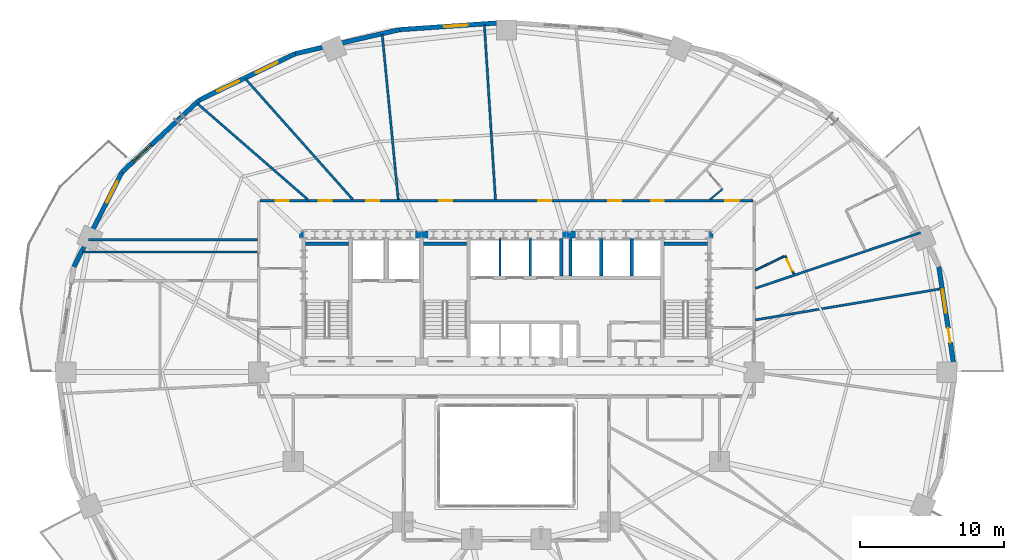
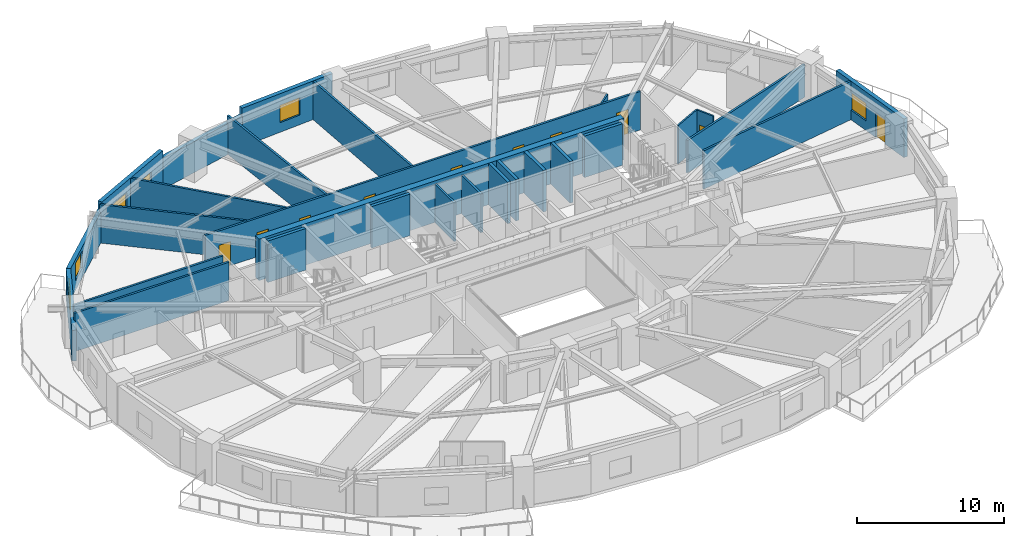
# One storey, part 12 of 17: 28 walls, 10 doors, 6 windows, 16 openings.
"""IFC4 building model written with IfcOpenShell, lengths in metres."""

from ifc_helpers import new_model, si_unit, direction, frame, frame_2d, origin, place, context, subcontext, project, spatial, rectangle, extrude, material, layer, layer_set, type_object, element, fill, save


model = new_model("IFC4")

# Units and contexts
model_context = context("Model", 3, precision=1e-05, world=origin(), true_north=direction((0.0, 1.0)))
body_context = subcontext(model_context, "Body", "Model", "MODEL_VIEW")
ifc_project = project(units=[si_unit("LENGTHUNIT", "METRE"), si_unit("AREAUNIT", "SQUARE_METRE"), si_unit("VOLUMEUNIT", "CUBIC_METRE"), si_unit("PLANEANGLEUNIT", "RADIAN"), si_unit("MASSUNIT", "GRAM", prefix="KILO")], contexts=[model_context])

# Site, building, storey
site_placement = place(None, origin())
site = spatial("IfcSite", under=ifc_project, at=site_placement, CompositionType="ELEMENT")
building_placement = place(site_placement, origin())
building = spatial("IfcBuilding", under=site, at=building_placement, Name="Haldorwick Loom Tower", CompositionType="ELEMENT")
storey_placement = place(building_placement, frame((0.0, 0.0, 61.949951171875)))
storey = spatial("IfcBuildingStorey", under=building, at=storey_placement, Name="L16", CompositionType="ELEMENT", Elevation=61.949951171875)

# Wall, openings, door, window
ifc_material_1 = material(Name="Pressed Clay Face Brick and Insulated Masonry Backup Assembly", Category="masonry")
ifc_layer_1 = layer(ifc_material_1, 0.320068359375, Name="Pressed Clay Face Brick and Insulated Masonry Backup Assembly", Category="masonry")
ifc_layer_set_1 = layer_set([ifc_layer_1], Name="Pressed Clay Face Brick and Insulated Masonry Backup Assembly")
wall_type_1 = type_object("IfcWallType", Name="ARC-WL-EXT320", PredefinedType="STANDARD", material=ifc_layer_set_1)
wall_1_placement = place(storey_placement, frame((67.135986328125, 26.0, 0.0), z_axis=(0.0, 0.0, 1.0), x_axis=(-0.150476322528, 0.988613613278, 0.0)))
wall_1 = element("IfcWall", 1, at=wall_1_placement, inside=storey, type_object=wall_type_1, Name="L16 Brick Pier and Spandrel Wall 1", PredefinedType="STANDARD", context=body_context, shape_type="SweptSolid", body=[
    extrude(rectangle(XDim=7.40478515625, YDim=0.320068359375, at=frame_2d((3.702392578125, 0.0))), origin(), (0.0, 0.0, 1.0), 3.2099609375),
])
opening_1_placement = place(wall_1_placement, frame((2.087646484375, 0.0, 0.0)))
opening_1 = element("IfcOpeningElement", 2, at=opening_1_placement, cuts=wall_1, Name="Opening D-BL10", PredefinedType="OPENING", context=body_context, shape_type="SweptSolid", body=[
    extrude(rectangle(XDim=1.0, YDim=2.0400390625, at=frame_2d((0.5, 1.02001953125))), frame((0.0, 0.169921875, 0.0), z_axis=(0.0, -1.0, 0.0), x_axis=(1.0, 0.0, 0.0)), (0.0, 0.0, 1.0), 0.340087890625),
])
opening_2_placement = place(wall_1_placement, frame((4.1611328125, 0.0, 0.800048828125)))
opening_2 = element("IfcOpeningElement", 3, at=opening_2_placement, cuts=wall_1, Name="Opening W-01B", PredefinedType="OPENING", context=body_context, shape_type="SweptSolid", body=[
    extrude(rectangle(XDim=1.64990234375, YDim=1.449951171875, at=frame_2d((0.824951171875, 0.72509765625))), frame((0.0, 0.169921875, 0.0), z_axis=(0.0, -1.0, 0.0), x_axis=(1.0, 0.0, 0.0)), (0.0, 0.0, 1.0), 0.340087890625),
])
ifc_material_2 = material(Name="Thermally Broken Anodized Aluminium Curtain Wall Framing", Category="aluminium")
door_type_1 = type_object("IfcDoorType", Name="ARC-DR-BAL100", OperationType="NOTDEFINED", PredefinedType="DOOR", material=ifc_material_2)
door_1_placement = place(opening_1_placement, origin())
door_1 = element("IfcDoor", 4, at=door_1_placement, inside=storey, type_object=door_type_1, Name="L16 Outdoor Terrace Door SLB-L16-BAL_ENE", OperationType="SINGLE_SWING_RIGHT", OverallHeight=2.0400390625, OverallWidth=1.0, PredefinedType="DOOR", context=body_context, shape_type="SweptSolid", body=[
    extrude(rectangle(XDim=1.0, YDim=2.0400390625, at=frame_2d((0.5, 1.02001953125))), frame((0.0, 0.02490234375, 0.0), z_axis=(0.0, -1.0, 0.0), x_axis=(1.0, 0.0, 0.0)), (0.0, 0.0, 1.0), 0.050048828125),
])
fill(opening_1, door_1)
ifc_material_3 = material(Name="Triple-Glazed Low-E Argon Insulated Glazing Unit", Category="glass")
window_type = type_object("IfcWindowType", Name="ARC-WIN-W165", PartitioningType="SINGLE_PANEL", PredefinedType="WINDOW", material=ifc_material_3)
window_1_placement = place(opening_2_placement, origin())
window_1 = element("IfcWindow", 5, at=window_1_placement, inside=storey, type_object=window_type, Name="L16 Deep-Set Zone 7A Window 1", OverallHeight=1.449951171875, OverallWidth=1.64990234375, PartitioningType="SINGLE_PANEL", PredefinedType="WINDOW", context=body_context, shape_type="SweptSolid", body=[
    extrude(rectangle(XDim=1.64990234375, YDim=1.449951171875, at=frame_2d((0.824951171875, 0.72509765625))), frame((0.0, 0.030029296875, 0.0), z_axis=(0.0, -1.0, 0.0), x_axis=(1.0, 0.0, 0.0)), (0.0, 0.0, 1.0), 0.06005859375),
])
fill(opening_2, window_1)

# Wall, opening, window
wall_2_placement = place(storey_placement, frame((36.0, 50.2900390625, 0.0), z_axis=(0.0, 0.0, 1.0), x_axis=(-0.997645161917, -0.068586667092, 0.0)))
wall_2 = element("IfcWall", 6, at=wall_2_placement, inside=storey, type_object=wall_type_1, Name="L16 Brick Pier and Spandrel Wall 7", PredefinedType="STANDARD", context=body_context, shape_type="SweptSolid", body=[
    extrude(rectangle(XDim=7.428955078125, YDim=0.320068359375, at=frame_2d((3.71435546875, 0.0))), origin(), (0.0, 0.0, 1.0), 3.2099609375),
])
opening_3_placement = place(wall_2_placement, frame((2.679443359375, 0.0, 0.800048828125)))
opening_3 = element("IfcOpeningElement", 7, at=opening_3_placement, cuts=wall_2, Name="Opening W-01B", PredefinedType="OPENING", context=body_context, shape_type="SweptSolid", body=[
    extrude(rectangle(XDim=1.64990234375, YDim=1.449951171875, at=frame_2d((0.824951171875, 0.72509765625))), frame((0.0, 0.169921875, 0.0), z_axis=(0.0, -1.0, 0.0), x_axis=(1.0, 0.0, 0.0)), (0.0, 0.0, 1.0), 0.340087890625),
])
window_2_placement = place(opening_3_placement, origin())
window_2 = element("IfcWindow", 8, at=window_2_placement, inside=storey, type_object=window_type, Name="L16 Deep-Set Zone 7A Window 7", OverallHeight=1.449951171875, OverallWidth=1.64990234375, PartitioningType="SINGLE_PANEL", PredefinedType="WINDOW", context=body_context, shape_type="SweptSolid", body=[
    extrude(rectangle(XDim=1.64990234375, YDim=1.449951171875, at=frame_2d((0.824951171875, 0.72509765625))), frame((0.0, 0.030029296875, 0.0), z_axis=(0.0, -1.0, 0.0), x_axis=(1.0, 0.0, 0.0)), (0.0, 0.0, 1.0), 0.06005859375),
])
fill(opening_3, window_2)

# Wall
wall_3_placement = place(storey_placement, frame((28.588623046875, 49.780517578125, 0.0), z_axis=(0.0, 0.0, 1.0), x_axis=(-0.974522412345, -0.224290142088, 0.0)))
element("IfcWall", 9, at=wall_3_placement, inside=storey, type_object=wall_type_1, Name="L16 Brick Pier and Spandrel Wall 8", PredefinedType="STANDARD", context=body_context, shape_type="SweptSolid", body=[
    extrude(rectangle(XDim=7.422607421875, YDim=0.320068359375, at=frame_2d((3.71142578125, 0.0))), origin(), (0.0, 0.0, 1.0), 2.569091796875),
])

# Wall, openings, windows
wall_4_placement = place(storey_placement, frame((21.355224609375, 48.11572265625, 0.0), z_axis=(0.0, 0.0, 1.0), x_axis=(-0.900295710431, -0.435278800057, 0.0)))
wall_4 = element("IfcWall", 10, at=wall_4_placement, inside=storey, type_object=wall_type_1, Name="L16 Brick Pier and Spandrel Wall 9", PredefinedType="STANDARD", context=body_context, shape_type="SweptSolid", body=[
    extrude(rectangle(XDim=7.39697265625, YDim=0.320068359375, at=frame_2d((3.698486328125, 0.0))), origin(), (0.0, 0.0, 1.0), 3.2099609375),
])
opening_4_placement = place(wall_4_placement, frame((1.39404296875, 0.0, 0.800048828125)))
opening_4 = element("IfcOpeningElement", 11, at=opening_4_placement, cuts=wall_4, Name="Opening W-01B", PredefinedType="OPENING", context=body_context, shape_type="SweptSolid", body=[
    extrude(rectangle(XDim=1.64990234375, YDim=1.449951171875, at=frame_2d((0.824951171875, 0.72509765625))), frame((0.0, 0.169921875, 0.0), z_axis=(0.0, -1.0, 0.0), x_axis=(1.0, 0.0, 0.0)), (0.0, 0.0, 1.0), 0.340087890625),
])
opening_5_placement = place(wall_4_placement, frame((4.352783203125, 0.0, 0.800048828125)))
opening_5 = element("IfcOpeningElement", 12, at=opening_5_placement, cuts=wall_4, Name="Opening W-01B", PredefinedType="OPENING", context=body_context, shape_type="SweptSolid", body=[
    extrude(rectangle(XDim=1.64990234375, YDim=1.449951171875, at=frame_2d((0.824951171875, 0.72509765625))), frame((0.0, 0.169921875, 0.0), z_axis=(0.0, -1.0, 0.0), x_axis=(1.0, 0.0, 0.0)), (0.0, 0.0, 1.0), 0.340087890625),
])
window_3_placement = place(opening_4_placement, origin())
window_3 = element("IfcWindow", 13, at=window_3_placement, inside=storey, type_object=window_type, Name="L16 Deep-Set Zone 7A Window 9", OverallHeight=1.449951171875, OverallWidth=1.64990234375, PartitioningType="SINGLE_PANEL", PredefinedType="WINDOW", context=body_context, shape_type="SweptSolid", body=[
    extrude(rectangle(XDim=1.64990234375, YDim=1.449951171875, at=frame_2d((0.824951171875, 0.72509765625))), frame((0.0, 0.030029296875, 0.0), z_axis=(0.0, -1.0, 0.0), x_axis=(1.0, 0.0, 0.0)), (0.0, 0.0, 1.0), 0.06005859375),
])
fill(opening_4, window_3)
window_4_placement = place(opening_5_placement, origin())
window_4 = element("IfcWindow", 14, at=window_4_placement, inside=storey, type_object=window_type, Name="L16 Deep-Set Zone 7A Window 9", OverallHeight=1.449951171875, OverallWidth=1.64990234375, PartitioningType="SINGLE_PANEL", PredefinedType="WINDOW", context=body_context, shape_type="SweptSolid", body=[
    extrude(rectangle(XDim=1.64990234375, YDim=1.449951171875, at=frame_2d((0.824951171875, 0.72509765625))), frame((0.0, 0.030029296875, 0.0), z_axis=(0.0, -1.0, 0.0), x_axis=(1.0, 0.0, 0.0)), (0.0, 0.0, 1.0), 0.06005859375),
])
fill(opening_5, window_4)

# Wall, opening, window
wall_5_placement = place(storey_placement, frame((14.69580078125, 44.89599609375, 0.0), z_axis=(0.0, 0.0, 1.0), x_axis=(-0.73176101237, -0.681561311091, 0.0)))
wall_5 = element("IfcWall", 15, at=wall_5_placement, inside=storey, type_object=wall_type_1, Name="L16 Brick Pier and Spandrel Wall 10", PredefinedType="STANDARD", context=body_context, shape_type="SweptSolid", body=[
    extrude(rectangle(XDim=7.3583984375, YDim=0.320068359375, at=frame_2d((3.67919921875, 0.0))), origin(), (0.0, 0.0, 1.0), 2.569091796875),
])
opening_6_placement = place(wall_5_placement, frame((4.590087890625, 0.0, 0.800048828125)))
opening_6 = element("IfcOpeningElement", 16, at=opening_6_placement, cuts=wall_5, Name="Opening W-01B", PredefinedType="OPENING", context=body_context, shape_type="SweptSolid", body=[
    extrude(rectangle(XDim=1.64990234375, YDim=1.449951171875, at=frame_2d((0.824951171875, 0.72509765625))), frame((0.0, 0.169921875, 0.0), z_axis=(0.0, -1.0, 0.0), x_axis=(1.0, 0.0, 0.0)), (0.0, 0.0, 1.0), 0.340087890625),
])
window_5_placement = place(opening_6_placement, origin())
window_5 = element("IfcWindow", 17, at=window_5_placement, inside=storey, type_object=window_type, Name="L16 Deep-Set Zone 7A Window 10", OverallHeight=1.449951171875, OverallWidth=1.64990234375, PartitioningType="SINGLE_PANEL", PredefinedType="WINDOW", context=body_context, shape_type="SweptSolid", body=[
    extrude(rectangle(XDim=1.64990234375, YDim=1.449951171875, at=frame_2d((0.824951171875, 0.72509765625))), frame((0.0, 0.030029296875, 0.0), z_axis=(0.0, -1.0, 0.0), x_axis=(1.0, 0.0, 0.0)), (0.0, 0.0, 1.0), 0.06005859375),
])
fill(opening_6, window_5)

wall_6_placement = place(storey_placement, frame((9.311279296875, 39.880859375, 0.0), z_axis=(0.0, 0.0, 1.0), x_axis=(-0.452950855928, -0.891535485617, 0.0)))
wall_6 = element("IfcWall", 18, at=wall_6_placement, inside=storey, type_object=wall_type_1, Name="L16 Brick Pier and Spandrel Wall 11", PredefinedType="STANDARD", context=body_context, shape_type="SweptSolid", body=[
    extrude(rectangle(XDim=7.3583984375, YDim=0.320068359375, at=frame_2d((3.67919921875, 0.0))), origin(), (0.0, 0.0, 1.0), 2.569091796875),
])
opening_7_placement = place(wall_6_placement, frame((0.69921875, 0.0, 0.800048828125)))
opening_7 = element("IfcOpeningElement", 19, at=opening_7_placement, cuts=wall_6, Name="Opening W-01B", PredefinedType="OPENING", context=body_context, shape_type="SweptSolid", body=[
    extrude(rectangle(XDim=1.64990234375, YDim=1.449951171875, at=frame_2d((0.824951171875, 0.72509765625))), frame((0.0, 0.169921875, 0.0), z_axis=(0.0, -1.0, 0.0), x_axis=(1.0, 0.0, 0.0)), (0.0, 0.0, 1.0), 0.340087890625),
])
window_6_placement = place(opening_7_placement, origin())
window_6 = element("IfcWindow", 20, at=window_6_placement, inside=storey, type_object=window_type, Name="L16 Deep-Set Zone 7A Window 11", OverallHeight=1.449951171875, OverallWidth=1.64990234375, PartitioningType="SINGLE_PANEL", PredefinedType="WINDOW", context=body_context, shape_type="SweptSolid", body=[
    extrude(rectangle(XDim=1.64990234375, YDim=1.449951171875, at=frame_2d((0.824951171875, 0.72509765625))), frame((0.0, 0.030029296875, 0.0), z_axis=(0.0, -1.0, 0.0), x_axis=(1.0, 0.0, 0.0)), (0.0, 0.0, 1.0), 0.06005859375),
])
fill(opening_7, window_6)

# Wall, openings, doors
ifc_material_4 = material(Name="Fire-Rated Type X Gypsum Stud Assembly EI 60")
ifc_layer_2 = layer(ifc_material_4, 0.159912109375, Name="Fire-Rated Type X Gypsum Stud Assembly EI 60")
ifc_layer_set_2 = layer_set([ifc_layer_2], Name="Fire-Rated Type X Gypsum Stud Assembly EI 60")
wall_type_2 = type_object("IfcWallType", Name="ARC-WL-FIRE160", PredefinedType="PARTITIONING", material=ifc_layer_set_2)
wall_7_placement = place(storey_placement, frame((18.883056640625, 37.89990234375, 0.0), z_axis=(0.0, 0.0, 1.0), x_axis=(1.0, 0.0, 0.0)))
wall_7 = element("IfcWall", 21, at=wall_7_placement, inside=storey, type_object=wall_type_2, Name="L16 Residential Fire Partition L16-CR-N0", PredefinedType="PARTITIONING", context=body_context, shape_type="SweptSolid", body=[
    extrude(rectangle(XDim=34.23388671875, YDim=0.159912109375, at=frame_2d((17.116943359375, 0.0))), origin(), (0.0, 0.0, 1.0), 3.195068359375),
])
opening_8_placement = place(wall_7_placement, frame((19.3173828125, 0.0, 0.0)))
opening_8 = element("IfcOpeningElement", 22, at=opening_8_placement, cuts=wall_7, Name="Opening D-FD60A", PredefinedType="OPENING", context=body_context, shape_type="SweptSolid", body=[
    extrude(rectangle(XDim=0.89990234375, YDim=2.0, at=frame_2d((0.449951171875, 1.0))), frame((0.0, 0.08984375, 0.0), z_axis=(0.0, -1.0, 0.0), x_axis=(1.0, 0.0, 0.0)), (0.0, 0.0, 1.0), 0.179931640625),
])
opening_9_placement = place(wall_7_placement, frame((12.470703125, 0.0, 0.0)))
opening_9 = element("IfcOpeningElement", 23, at=opening_9_placement, cuts=wall_7, Name="Opening D-FD60A", PredefinedType="OPENING", context=body_context, shape_type="SweptSolid", body=[
    extrude(rectangle(XDim=0.89990234375, YDim=2.0, at=frame_2d((0.449951171875, 1.0))), frame((0.0, 0.08984375, 0.0), z_axis=(0.0, -1.0, 0.0), x_axis=(1.0, 0.0, 0.0)), (0.0, 0.0, 1.0), 0.179931640625),
])
opening_10_placement = place(wall_7_placement, frame((24.176513671875, 0.0, 0.0)))
opening_10 = element("IfcOpeningElement", 24, at=opening_10_placement, cuts=wall_7, Name="Opening D-FD60A", PredefinedType="OPENING", context=body_context, shape_type="SweptSolid", body=[
    extrude(rectangle(XDim=0.89990234375, YDim=2.0, at=frame_2d((0.449951171875, 1.0))), frame((0.0, 0.08984375, 0.0), z_axis=(0.0, -1.0, 0.0), x_axis=(1.0, 0.0, 0.0)), (0.0, 0.0, 1.0), 0.179931640625),
])
opening_11_placement = place(wall_7_placement, frame((7.390625, 0.0, 0.0)))
opening_11 = element("IfcOpeningElement", 25, at=opening_11_placement, cuts=wall_7, Name="Opening D-FD60A", PredefinedType="OPENING", context=body_context, shape_type="SweptSolid", body=[
    extrude(rectangle(XDim=0.89990234375, YDim=2.0, at=frame_2d((0.449951171875, 1.0))), frame((0.0, 0.08984375, 0.0), z_axis=(0.0, -1.0, 0.0), x_axis=(1.0, 0.0, 0.0)), (0.0, 0.0, 1.0), 0.179931640625),
])
opening_12_placement = place(wall_7_placement, frame((4.07763671875, 0.0, 0.0)))
opening_12 = element("IfcOpeningElement", 26, at=opening_12_placement, cuts=wall_7, Name="Opening D-FD60A", PredefinedType="OPENING", context=body_context, shape_type="SweptSolid", body=[
    extrude(rectangle(XDim=0.89990234375, YDim=2.0, at=frame_2d((0.449951171875, 1.0))), frame((0.0, 0.08984375, 0.0), z_axis=(0.0, -1.0, 0.0), x_axis=(1.0, 0.0, 0.0)), (0.0, 0.0, 1.0), 0.179931640625),
])
opening_13_placement = place(wall_7_placement, frame((27.158203125, 0.0, 0.0)))
opening_13 = element("IfcOpeningElement", 27, at=opening_13_placement, cuts=wall_7, Name="Opening D-FD60A", PredefinedType="OPENING", context=body_context, shape_type="SweptSolid", body=[
    extrude(rectangle(XDim=0.89990234375, YDim=2.0, at=frame_2d((0.449951171875, 1.0))), frame((0.0, 0.08984375, 0.0), z_axis=(0.0, -1.0, 0.0), x_axis=(1.0, 0.0, 0.0)), (0.0, 0.0, 1.0), 0.179931640625),
])
opening_14_placement = place(wall_7_placement, frame((1.09619140625, 0.0, 0.0)))
opening_14 = element("IfcOpeningElement", 28, at=opening_14_placement, cuts=wall_7, Name="Opening D-FD60A", PredefinedType="OPENING", context=body_context, shape_type="SweptSolid", body=[
    extrude(rectangle(XDim=0.89990234375, YDim=2.0, at=frame_2d((0.449951171875, 1.0))), frame((0.0, 0.08984375, 0.0), z_axis=(0.0, -1.0, 0.0), x_axis=(1.0, 0.0, 0.0)), (0.0, 0.0, 1.0), 0.179931640625),
])
opening_15_placement = place(wall_7_placement, frame((32.323486328125, 0.0, 0.0)))
opening_15 = element("IfcOpeningElement", 29, at=opening_15_placement, cuts=wall_7, Name="Opening D-FL95", PredefinedType="OPENING", context=body_context, shape_type="SweptSolid", body=[
    extrude(rectangle(XDim=0.949951171875, YDim=2.0400390625, at=frame_2d((0.47509765625, 1.02001953125))), frame((0.0, 0.08984375, 0.0), z_axis=(0.0, -1.0, 0.0), x_axis=(1.0, 0.0, 0.0)), (0.0, 0.0, 1.0), 0.179931640625),
])
ifc_material_5 = material(Name="Hollow Steel Fire Door Assembly", Category="steel")
door_type_2 = type_object("IfcDoorType", Name="ARC-DR-FD60-90", OperationType="NOTDEFINED", PredefinedType="DOOR", material=ifc_material_5)
door_2_placement = place(opening_8_placement, frame((0.89990234375, 0.0, 0.0), z_axis=(0.0, 0.0, 1.0), x_axis=(-1.0, 0.0, 0.0)))
door_2 = element("IfcDoor", 30, at=door_2_placement, inside=storey, type_object=door_type_2, Name="L16 Tenant Seminar Meeting Room 3 to L16 North Residential Corridor Door", OperationType="SINGLE_SWING_RIGHT", OverallHeight=2.0, OverallWidth=0.89990234375, PredefinedType="DOOR", context=body_context, shape_type="SweptSolid", body=[
    extrude(rectangle(XDim=0.89990234375, YDim=2.0, at=frame_2d((0.449951171875, 1.0))), frame((0.0, 0.02490234375, 0.0), z_axis=(0.0, -1.0, 0.0), x_axis=(1.0, 0.0, 0.0)), (0.0, 0.0, 1.0), 0.050048828125),
])
fill(opening_8, door_2)
door_3_placement = place(opening_9_placement, frame((0.89990234375, 0.0, 0.0), z_axis=(0.0, 0.0, 1.0), x_axis=(-1.0, 0.0, 0.0)))
door_3 = element("IfcDoor", 31, at=door_3_placement, inside=storey, type_object=door_type_2, Name="L16 Tenant Seminar Meeting Room 4 to L16 North Residential Corridor Door", OperationType="SINGLE_SWING_LEFT", OverallHeight=2.0, OverallWidth=0.89990234375, PredefinedType="DOOR", context=body_context, shape_type="SweptSolid", body=[
    extrude(rectangle(XDim=0.89990234375, YDim=2.0, at=frame_2d((0.449951171875, 1.0))), frame((0.0, 0.02490234375, 0.0), z_axis=(0.0, -1.0, 0.0), x_axis=(1.0, 0.0, 0.0)), (0.0, 0.0, 1.0), 0.050048828125),
])
fill(opening_9, door_3)
door_4_placement = place(opening_10_placement, frame((0.89990234375, 0.0, 0.0), z_axis=(0.0, 0.0, 1.0), x_axis=(-1.0, 0.0, 0.0)))
door_4 = element("IfcDoor", 32, at=door_4_placement, inside=storey, type_object=door_type_2, Name="L16 Tenant Seminar Meeting Room 16 to L16 North Residential Corridor Doo", OperationType="SINGLE_SWING_LEFT", OverallHeight=2.0, OverallWidth=0.89990234375, PredefinedType="DOOR", context=body_context, shape_type="SweptSolid", body=[
    extrude(rectangle(XDim=0.89990234375, YDim=2.0, at=frame_2d((0.449951171875, 1.0))), frame((0.0, 0.02490234375, 0.0), z_axis=(0.0, -1.0, 0.0), x_axis=(1.0, 0.0, 0.0)), (0.0, 0.0, 1.0), 0.050048828125),
])
fill(opening_10, door_4)
door_5_placement = place(opening_11_placement, frame((0.89990234375, 0.0, 0.0), z_axis=(0.0, 0.0, 1.0), x_axis=(-1.0, 0.0, 0.0)))
door_5 = element("IfcDoor", 33, at=door_5_placement, inside=storey, type_object=door_type_2, Name="L16 Tenant Seminar Meeting Room 9 to L16 North Residential Corridor Door", OperationType="SINGLE_SWING_RIGHT", OverallHeight=2.0, OverallWidth=0.89990234375, PredefinedType="DOOR", context=body_context, shape_type="SweptSolid", body=[
    extrude(rectangle(XDim=0.89990234375, YDim=2.0, at=frame_2d((0.449951171875, 1.0))), frame((0.0, 0.02490234375, 0.0), z_axis=(0.0, -1.0, 0.0), x_axis=(1.0, 0.0, 0.0)), (0.0, 0.0, 1.0), 0.050048828125),
])
fill(opening_11, door_5)
door_6_placement = place(opening_12_placement, frame((0.89990234375, 0.0, 0.0), z_axis=(0.0, 0.0, 1.0), x_axis=(-1.0, 0.0, 0.0)))
door_6 = element("IfcDoor", 34, at=door_6_placement, inside=storey, type_object=door_type_2, Name="L16 Wellness Consultation Room 12 to L16 North Residential Corridor Door", OperationType="SINGLE_SWING_LEFT", OverallHeight=2.0, OverallWidth=0.89990234375, PredefinedType="DOOR", context=body_context, shape_type="SweptSolid", body=[
    extrude(rectangle(XDim=0.89990234375, YDim=2.0, at=frame_2d((0.449951171875, 1.0))), frame((0.0, 0.02490234375, 0.0), z_axis=(0.0, -1.0, 0.0), x_axis=(1.0, 0.0, 0.0)), (0.0, 0.0, 1.0), 0.050048828125),
])
fill(opening_12, door_6)
door_7_placement = place(opening_13_placement, frame((0.89990234375, 0.0, 0.0), z_axis=(0.0, 0.0, 1.0), x_axis=(-1.0, 0.0, 0.0)))
door_7 = element("IfcDoor", 35, at=door_7_placement, inside=storey, type_object=door_type_2, Name="L16 Shared Tea Pantry 21 to L16 North Residential Corridor Door", OperationType="SINGLE_SWING_LEFT", OverallHeight=2.0, OverallWidth=0.89990234375, PredefinedType="DOOR", context=body_context, shape_type="SweptSolid", body=[
    extrude(rectangle(XDim=0.89990234375, YDim=2.0, at=frame_2d((0.449951171875, 1.0))), frame((0.0, 0.02490234375, 0.0), z_axis=(0.0, -1.0, 0.0), x_axis=(1.0, 0.0, 0.0)), (0.0, 0.0, 1.0), 0.050048828125),
])
fill(opening_13, door_7)
door_8_placement = place(opening_14_placement, frame((0.89990234375, 0.0, 0.0), z_axis=(0.0, 0.0, 1.0), x_axis=(-1.0, 0.0, 0.0)))
door_8 = element("IfcDoor", 36, at=door_8_placement, inside=storey, type_object=door_type_2, Name="L16 Tenant Seminar Meeting Room 2 to L16 North Residential Corridor Door", OperationType="SINGLE_SWING_RIGHT", OverallHeight=2.0, OverallWidth=0.89990234375, PredefinedType="DOOR", context=body_context, shape_type="SweptSolid", body=[
    extrude(rectangle(XDim=0.89990234375, YDim=2.0, at=frame_2d((0.449951171875, 1.0))), frame((0.0, 0.02490234375, 0.0), z_axis=(0.0, -1.0, 0.0), x_axis=(1.0, 0.0, 0.0)), (0.0, 0.0, 1.0), 0.050048828125),
])
fill(opening_14, door_8)
ifc_material_6 = material(Name="Solid Core Birch Architectural Door")
door_type_3 = type_object("IfcDoorType", Name="ARC-DR-FLAT95", OperationType="NOTDEFINED", PredefinedType="DOOR", material=ifc_material_6)
door_9_placement = place(opening_15_placement, frame((0.949951171875, 0.0, 0.0), z_axis=(0.0, 0.0, 1.0), x_axis=(-1.0, 0.0, 0.0)))
door_9 = element("IfcDoor", 37, at=door_9_placement, inside=storey, type_object=door_type_3, Name="L16 Unit 16H Kitchen and Studio Living Room to L16 North Residential Cor", OperationType="SINGLE_SWING_LEFT", OverallHeight=2.0400390625, OverallWidth=0.949951171875, PredefinedType="DOOR", context=body_context, shape_type="SweptSolid", body=[
    extrude(rectangle(XDim=0.949951171875, YDim=2.0400390625, at=frame_2d((0.47509765625, 1.02001953125))), frame((0.0, 0.02490234375, 0.0), z_axis=(0.0, -1.0, 0.0), x_axis=(1.0, 0.0, 0.0)), (0.0, 0.0, 1.0), 0.050048828125),
])
fill(opening_15, door_9)

# Walls
wall_8_placement = place(storey_placement, frame((6.57421875, 34.35009765625, 0.0), z_axis=(0.0, 0.0, 1.0), x_axis=(1.0, 0.0, 0.0)))
element("IfcWall", 38, at=wall_8_placement, inside=storey, type_object=wall_type_2, Name="L16 Residential Fire Partition L16-CR-GW1", PredefinedType="PARTITIONING", context=body_context, shape_type="SweptSolid", body=[
    extrude(rectangle(XDim=12.142822265625, YDim=0.159912109375, at=frame_2d((6.0712890625, 0.0))), origin(), (0.0, 0.0, 1.0), 3.195068359375),
])
wall_9_placement = place(storey_placement, frame((28.491943359375, 37.98291015625, 0.0), z_axis=(0.0, 0.0, 1.0), x_axis=(-0.096495067115, 0.995333462726, 0.0)))
element("IfcWall", 39, at=wall_9_placement, inside=storey, type_object=wall_type_2, Name="L16 Residential Fire Partition L16-UPN-11", PredefinedType="PARTITIONING", context=body_context, shape_type="SweptSolid", body=[
    extrude(rectangle(XDim=11.5068359375, YDim=0.159912109375, at=frame_2d((5.75341796875, 0.0))), origin(), (0.0, 0.0, 1.0), 3.195068359375),
])
wall_10_placement = place(storey_placement, frame((7.005859375, 35.199951171875, 0.0), z_axis=(0.0, 0.0, 1.0), x_axis=(1.0, 0.0, 0.0)))
element("IfcWall", 40, at=wall_10_placement, inside=storey, type_object=wall_type_2, Name="L16 Residential Fire Partition L16-FLW-13", PredefinedType="PARTITIONING", context=body_context, shape_type="SweptSolid", body=[
    extrude(rectangle(XDim=11.711181640625, YDim=0.159912109375, at=frame_2d((5.85546875, 0.0))), origin(), (0.0, 0.0, 1.0), 3.195068359375),
])
wall_11_placement = place(storey_placement, frame((22.217041015625, 37.98291015625, 0.0), z_axis=(0.0, 0.0, 1.0), x_axis=(-0.754653553323, 0.656123475008, 0.0)))
element("IfcWall", 41, at=wall_11_placement, inside=storey, type_object=wall_type_2, Name="L16 Suite Split Wall", PredefinedType="PARTITIONING", context=body_context, shape_type="SweptSolid", body=[
    extrude(rectangle(XDim=10.176513671875, YDim=0.159912109375, at=frame_2d((5.08837890625, 0.0))), origin(), (0.0, 0.0, 1.0), 3.195068359375),
])
wall_12_placement = place(storey_placement, frame((35.24072265625, 37.98291015625, 0.0), z_axis=(0.0, 0.0, 1.0), x_axis=(-0.063236888078, 0.997998545082, 0.0)))
element("IfcWall", 42, at=wall_12_placement, inside=storey, type_object=wall_type_2, Name="L16 Suite Split Wall", PredefinedType="PARTITIONING", context=body_context, shape_type="SweptSolid", body=[
    extrude(rectangle(XDim=12.161376953125, YDim=0.159912109375, at=frame_2d((6.08056640625, 0.0))), origin(), (0.0, 0.0, 1.0), 3.195068359375),
])
wall_13_placement = place(storey_placement, frame((53.282958984375, 31.821533203125, 0.0), z_axis=(0.0, 0.0, 1.0), x_axis=(0.947679669312, 0.319222875705, 0.0)))
element("IfcWall", 43, at=wall_13_placement, inside=storey, type_object=wall_type_2, Name="L16 Suite Split Wall", PredefinedType="PARTITIONING", context=body_context, shape_type="SweptSolid", body=[
    extrude(rectangle(XDim=12.098388671875, YDim=0.159912109375, at=frame_2d((6.04931640625, 0.0))), origin(), (0.0, 0.0, 1.0), 2.718994140625),
])
wall_14_placement = place(storey_placement, frame((25.341064453125, 37.98291015625, 0.0), z_axis=(0.0, 0.0, 1.0), x_axis=(-0.66463123421, 0.747171548249, 0.0)))
element("IfcWall", 44, at=wall_14_placement, inside=storey, type_object=wall_type_2, Name="L16 Suite Split Wall", PredefinedType="PARTITIONING", context=body_context, shape_type="SweptSolid", body=[
    extrude(rectangle(XDim=11.218994140625, YDim=0.159912109375, at=frame_2d((5.609375, 0.0))), origin(), (0.0, 0.0, 1.0), 3.195068359375),
])
wall_15_placement = place(storey_placement, frame((53.282958984375, 29.624267578125, 0.0), z_axis=(0.0, 0.0, 1.0), x_axis=(0.986169646763, 0.16573903524, 0.0)))
element("IfcWall", 45, at=wall_15_placement, inside=storey, type_object=wall_type_2, Name="L16 Suite Split Wall", PredefinedType="PARTITIONING", context=body_context, shape_type="SweptSolid", body=[
    extrude(rectangle(XDim=13.08642578125, YDim=0.159912109375, at=frame_2d((6.543212890625, 0.0))), origin(), (0.0, 0.0, 1.0), 3.195068359375),
])

# Wall, opening, door
ifc_material_7 = material(Name="Acoustic Gypsum Stud Assembly STC 55")
ifc_layer_3 = layer(ifc_material_7, 0.1201171875, Name="Acoustic Gypsum Stud Assembly STC 55")
ifc_layer_set_3 = layer_set([ifc_layer_3], Name="Acoustic Gypsum Stud Assembly STC 55")
wall_type_3 = type_object("IfcWallType", Name="ARC-WL-PART120", PredefinedType="PARTITIONING", material=ifc_layer_set_3)
wall_16_placement = place(storey_placement, frame((55.963623046875, 32.81201171875, 0.0), z_axis=(0.0, 0.0, 1.0), x_axis=(-0.436960237417, 0.899480822984, 0.0)))
wall_16 = element("IfcWall", 46, at=wall_16_placement, inside=storey, type_object=wall_type_3, Name="L16 Unit 16G Interior Partition", PredefinedType="PARTITIONING", context=body_context, shape_type="SweptSolid", body=[
    extrude(rectangle(XDim=1.404052734375, YDim=0.1201171875, at=frame_2d((0.7021484375, 0.0))), origin(), (0.0, 0.0, 1.0), 3.195068359375),
])
opening_16_placement = place(wall_16_placement, frame((0.261962890625, 0.0, 0.0)))
opening_16 = element("IfcOpeningElement", 47, at=opening_16_placement, cuts=wall_16, Name="Opening D-BT88", PredefinedType="OPENING", context=body_context, shape_type="SweptSolid", body=[
    extrude(rectangle(XDim=0.8798828125, YDim=2.02001953125, at=frame_2d((0.43994140625, 1.010009765625))), frame((0.0, 0.070068359375, 0.0), z_axis=(0.0, -1.0, 0.0), x_axis=(1.0, 0.0, 0.0)), (0.0, 0.0, 1.0), 0.14013671875),
])
door_type_4 = type_object("IfcDoorType", Name="ARC-DR-BATH88", OperationType="NOTDEFINED", PredefinedType="DOOR", material=ifc_material_6)
door_10_placement = place(opening_16_placement, origin())
door_10 = element("IfcDoor", 48, at=door_10_placement, inside=storey, type_object=door_type_4, Name="L16 Unit 16G Bathroom to Unit 16G Kitchen and Living Room Door", OperationType="SINGLE_SWING_RIGHT", OverallHeight=2.02001953125, OverallWidth=0.8798828125, PredefinedType="DOOR", context=body_context, shape_type="SweptSolid", body=[
    extrude(rectangle(XDim=0.8798828125, YDim=2.02001953125, at=frame_2d((0.43994140625, 1.010009765625))), frame((0.0, 0.02490234375, 0.0), z_axis=(0.0, -1.0, 0.0), x_axis=(1.0, 0.0, 0.0)), (0.0, 0.0, 1.0), 0.050048828125),
])
fill(opening_16, door_10)

# Walls
wall_17_placement = place(storey_placement, frame((53.282958984375, 33.070556640625, 0.0), z_axis=(0.0, 0.0, 1.0), x_axis=(0.899459095921, 0.437004959657, 0.0)))
element("IfcWall", 49, at=wall_17_placement, inside=storey, type_object=wall_type_3, Name="L16 Unit 16G Interior Partition", PredefinedType="PARTITIONING", context=body_context, shape_type="SweptSolid", body=[
    extrude(rectangle(XDim=2.2353515625, YDim=0.1201171875, at=frame_2d((1.11767578125, 0.0))), origin(), (0.0, 0.0, 1.0), 3.195068359375),
])
wall_18_placement = place(storey_placement, frame((50.130859375, 37.98291015625, 0.0), z_axis=(0.0, 0.0, 1.0), x_axis=(0.76795561356, 0.640503064474, 0.0)))
element("IfcWall", 50, at=wall_18_placement, inside=storey, type_object=wall_type_3, Name="L16 Unit 16H Interior Partition", PredefinedType="PARTITIONING", context=body_context, shape_type="SweptSolid", body=[
    extrude(rectangle(XDim=1.130126953125, YDim=0.1201171875, at=frame_2d((0.56494140625, 0.0))), origin(), (0.0, 0.0, 1.0), 3.195068359375),
])
ifc_material_8 = material(Name="Fire-Rated Type X Gypsum Stud Assembly EI 120")
ifc_layer_4 = layer(ifc_material_8, 0.1650390625, Name="Fire-Rated Type X Gypsum Stud Assembly EI 120")
ifc_layer_set_4 = layer_set([ifc_layer_4], Name="Fire-Rated Type X Gypsum Stud Assembly EI 120")
wall_type_4 = type_object("IfcWallType", Name="ARC-WL-SHAFT160", PredefinedType="MOVABLE", material=ifc_layer_set_4)
for number, where, z_axis, x_axis, name in (
    (51, (35.550048828125, 32.673095703125, 0.0), (0.0, 0.0, 1.0), (0.0, 1.0, 0.0), "L16 Low-Rise Hoistway Divider 1"),
    (52, (37.64990234375, 32.673095703125, 0.0), (0.0, 0.0, 1.0), (0.0, 1.0, 0.0), "L16 Low-Rise Hoistway Divider 2"),
):
    element("IfcWall", number, at=place(storey_placement, frame(where, z_axis=z_axis, x_axis=x_axis)), inside=storey, type_object=wall_type_4, Name=name, PredefinedType="MOVABLE", context=body_context, shape_type="SweptSolid", body=[
        extrude(rectangle(XDim=2.6240234375, YDim=0.159912109375, at=frame_2d((1.31201171875, 0.0))), origin(), (0.0, 0.0, 1.0), 3.195068359375),
    ])
ifc_material_9 = material(Name="Concrete C60 (60 MPa)", Category="concrete")
ifc_layer_5 = layer(ifc_material_9, 0.5, Name="Concrete C60 (60 MPa)", Category="concrete")
ifc_layer_set_5 = layer_set([ifc_layer_5], Name="Concrete C60 (60 MPa)")
wall_type_5 = type_object("IfcWallType", Name="STR-WL-CORE500", PredefinedType="SHEAR", material=ifc_layer_set_5)
wall_19_placement = place(storey_placement, frame((50.35009765625, 35.550048828125, 0.0), z_axis=(0.0, 0.0, 1.0), x_axis=(-1.0, 0.0, 0.0)))
element("IfcWall", 53, at=wall_19_placement, inside=storey, type_object=wall_type_5, Name="L16 Core Shear Wall N", PredefinedType="SHEAR", context=body_context, shape_type="SweptSolid", body=[
    extrude(rectangle(XDim=28.7001953125, YDim=0.5, at=frame_2d((14.35009765625, 0.0))), origin(), (0.0, 0.0, 1.0), 3.449951171875),
])
ifc_material_10 = material(Name="Concrete C50 (50 MPa)", Category="concrete")
ifc_layer_6 = layer(ifc_material_10, 0.239990234375, Name="Concrete C50 (50 MPa)", Category="concrete")
ifc_layer_set_6 = layer_set([ifc_layer_6], Name="Concrete C50 (50 MPa)")
wall_type_6 = type_object("IfcWallType", Name="STR-WL-SHAFT240", PredefinedType="SHEAR", material=ifc_layer_set_6)
for number, where, z_axis, x_axis, name in (
    (54, (22.052978515625, 34.919921875, 0.0), (0.0, 0.0, 1.0), (1.0, 0.0, 0.0), "L16 Core Shear Wall 1N"),
    (55, (30.2529296875, 34.919921875, 0.0), (0.0, 0.0, 1.0), (1.0, 0.0, 0.0), "L16 Core Shear Wall 3N"),
    (56, (46.952880859375, 34.919921875, 0.0), (0.0, 0.0, 1.0), (1.0, 0.0, 0.0), "L16 Core Shear Wall 4N"),
):
    element("IfcWall", number, at=place(storey_placement, frame(where, z_axis=z_axis, x_axis=x_axis)), inside=storey, type_object=wall_type_6, Name=name, PredefinedType="SHEAR", context=body_context, shape_type="SweptSolid", body=[
        extrude(rectangle(XDim=2.994140625, YDim=0.239990234375, at=frame_2d((1.4970703125, 0.0))), origin(), (0.0, 0.0, 1.0), 3.449951171875),
    ])
for number, where, z_axis, x_axis, name in (
    (57, (39.800048828125, 32.673095703125, 0.0), (0.0, 0.0, 1.0), (0.0, 1.0, 0.0), "L16 Core Shear Wall LHW"),
    (58, (40.449951171875, 32.673095703125, 0.0), (0.0, 0.0, 1.0), (0.0, 1.0, 0.0), "L16 Core Shear Wall H0"),
    (59, (42.60009765625, 32.673095703125, 0.0), (0.0, 0.0, 1.0), (0.0, 1.0, 0.0), "L16 Core Shear Wall H1"),
    (60, (44.699951171875, 32.673095703125, 0.0), (0.0, 0.0, 1.0), (0.0, 1.0, 0.0), "L16 Core Shear Wall H2"),
):
    element("IfcWall", number, at=place(storey_placement, frame(where, z_axis=z_axis, x_axis=x_axis)), inside=storey, type_object=wall_type_6, Name=name, PredefinedType="SHEAR", context=body_context, shape_type="SweptSolid", body=[
        extrude(rectangle(XDim=2.6240234375, YDim=0.239990234375, at=frame_2d((1.31201171875, 0.0))), origin(), (0.0, 0.0, 1.0), 3.449951171875),
    ])

save(model, "model.ifc")
